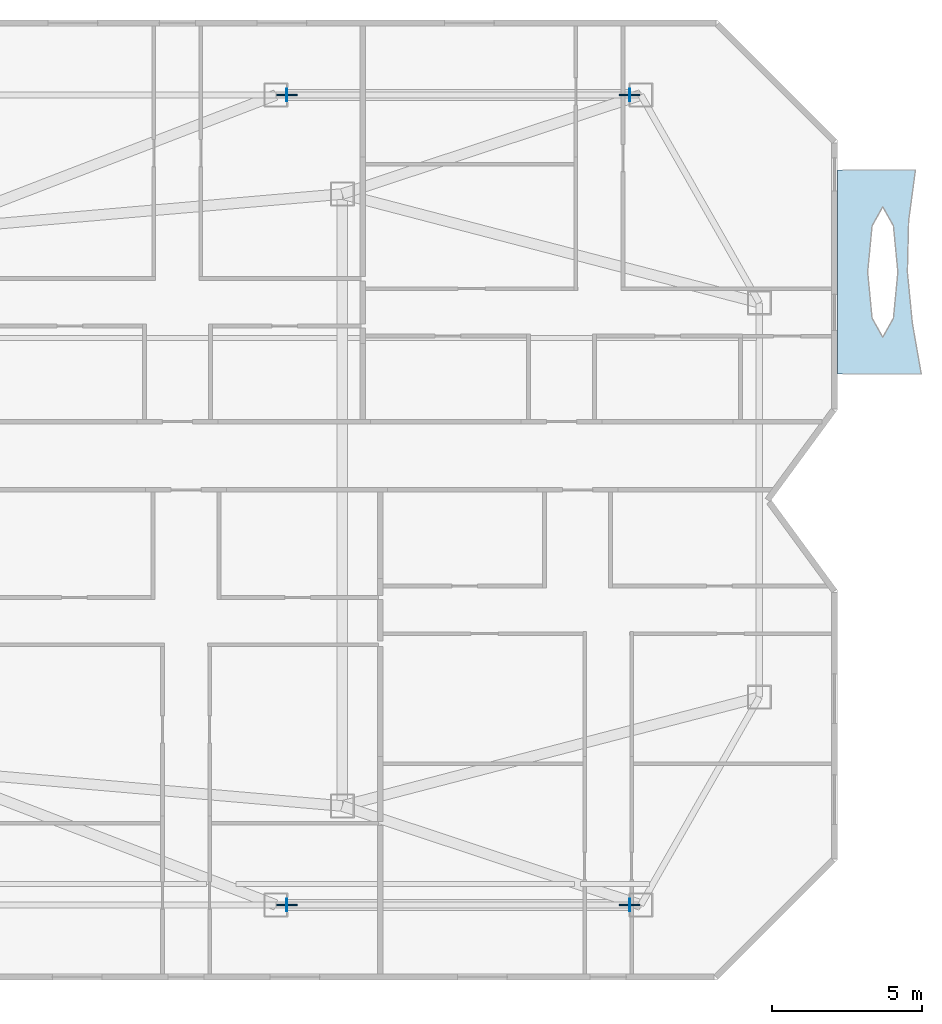
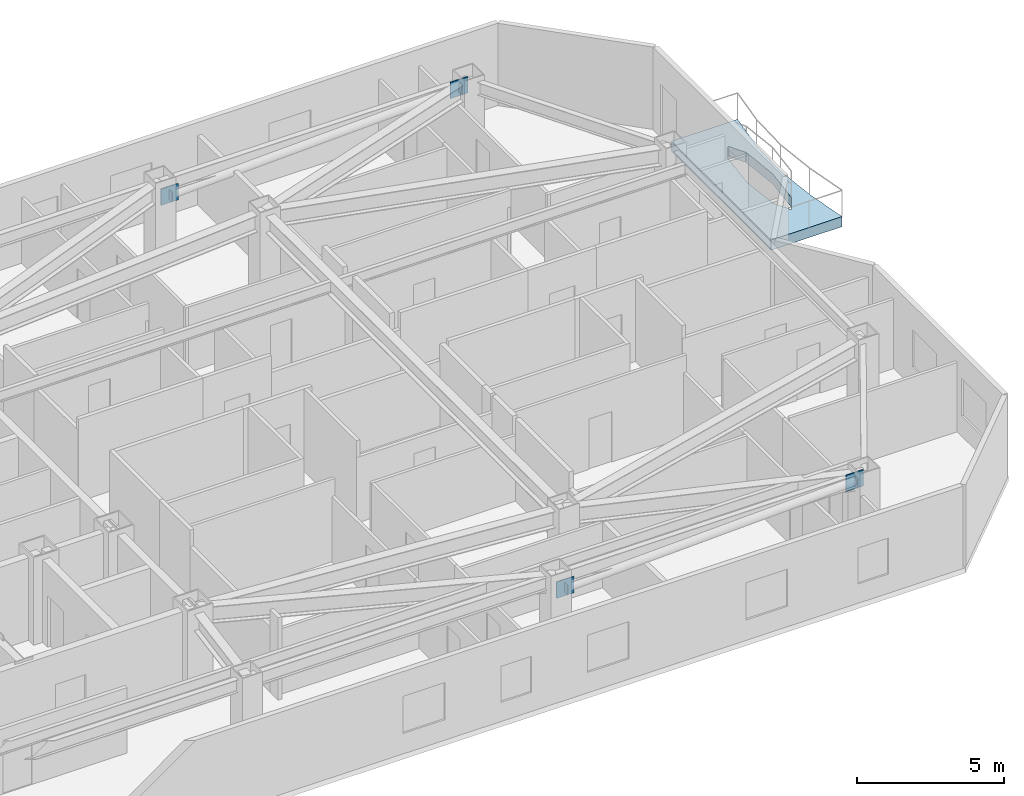
# One storey, part 3 of 10: 8 plates, 1 slab.
"""IFC4 building model written with IfcOpenShell, lengths in metres."""

from ifc_helpers import new_model, si_unit, direction, frame, origin, origin_2d, place, context, subcontext, project, spatial, polyline, rectangle, outline, extrude, material, layer, layer_set, type_object, element, save


model = new_model("IFC4")

# Units and contexts
model_context = context("Model", 3, precision=1e-05, world=origin(), true_north=direction((0.0, 1.0)))
body_context = subcontext(model_context, "Body", "Model", "MODEL_VIEW")
ifc_project = project(units=[si_unit("LENGTHUNIT", "METRE"), si_unit("AREAUNIT", "SQUARE_METRE"), si_unit("VOLUMEUNIT", "CUBIC_METRE"), si_unit("PLANEANGLEUNIT", "RADIAN"), si_unit("MASSUNIT", "GRAM", prefix="KILO")], contexts=[model_context])

# Site, building, storey
site_placement = place(None, origin())
site = spatial("IfcSite", under=ifc_project, at=site_placement, CompositionType="ELEMENT")
building_placement = place(site_placement, origin())
building = spatial("IfcBuilding", under=site, at=building_placement, Name="Khamvora Tower", CompositionType="ELEMENT")
storey_placement = place(building_placement, frame((0.0, 0.0, 250.050048828125)))
storey = spatial("IfcBuildingStorey", under=building, at=storey_placement, Name="L64", CompositionType="ELEMENT", Elevation=250.050048828125)

# Plates
ifc_material_1 = material(Name="Steel S355", Category="steel")
ifc_layer_1 = layer(ifc_material_1, 0.02490234375)
ifc_layer_set_1 = layer_set([ifc_layer_1], Name="Steel S355")
plate_type_1 = type_object("IfcPlateType", Name="PL-CAP-25", PredefinedType="SHEET", material=ifc_layer_set_1)
for number, where, z_axis, x_axis, name in (
    (1, (51.450927734375, 14.5, 2.487060546875), (0.0, 0.0, 1.0), (1.0, 0.0, 0.0), "L64 hollow section steel end cap plate 1166"),
    (2, (62.882080078125, 14.5, 2.93994140625), (0.0, 0.0, 1.0), (1.0, 0.0, 0.0), "L64 hollow section steel end cap plate 1167"),
    (3, (51.450927734375, 41.5, 2.487060546875), (0.0, 0.0, 1.0), (1.0, 0.0, 0.0), "L64 hollow section steel end cap plate 1168"),
    (4, (62.882080078125, 41.5, 2.93994140625), (0.0, 0.0, 1.0), (1.0, 0.0, 0.0), "L64 hollow section steel end cap plate 1169"),
):
    element("IfcPlate", number, at=place(storey_placement, frame(where, z_axis=z_axis, x_axis=x_axis)), inside=storey, type_object=plate_type_1, Name=name, PredefinedType="SHEET", context=body_context, shape_type="SweptSolid", body=[
        extrude(rectangle(XDim=0.02490234375, YDim=0.416015625, at=origin_2d()), origin(), (0.0, 0.0, 1.0), 0.416015625),
    ])
ifc_material_2 = material(Name="Steel S460", Category="steel")
ifc_layer_2 = layer(ifc_material_2, 0.0400390625)
ifc_layer_set_2 = layer_set([ifc_layer_2], Name="Steel S460")
plate_type_2 = type_object("IfcPlateType", Name="PLT-GUS-40", PredefinedType="SHEET", material=ifc_layer_set_2)
for number, where, z_axis, x_axis, name in (
    (5, (51.462890625, 14.5, 2.35498046875), (0.0, 0.0, 1.0), (1.0, 0.0, 0.0), "L64 brace connection node gusset plate 0409"),
    (6, (62.8701171875, 14.5, 2.80810546875), (0.0, 0.0, 1.0), (1.0, 0.0, 0.0), "L64 brace connection node gusset plate 0410"),
    (7, (51.462890625, 41.5, 2.35498046875), (0.0, 0.0, 1.0), (1.0, 0.0, 0.0), "L64 brace connection node gusset plate 0411"),
    (8, (62.8701171875, 41.5, 2.80810546875), (0.0, 0.0, 1.0), (1.0, 0.0, 0.0), "L64 brace connection node gusset plate 0412"),
):
    element("IfcPlate", number, at=place(storey_placement, frame(where, z_axis=z_axis, x_axis=x_axis)), inside=storey, type_object=plate_type_2, Name=name, PredefinedType="SHEET", context=body_context, shape_type="SweptSolid", body=[
        extrude(rectangle(XDim=0.679931640625, YDim=0.0400390625, at=origin_2d()), origin(), (0.0, 0.0, 1.0), 0.679931640625),
    ])

# Slab
ifc_material_3 = material(Name="Concrete C40/50", Category="concrete")
ifc_layer_3 = layer(ifc_material_3, 0.419921875)
ifc_layer_set_3 = layer_set([ifc_layer_3], Name="Concrete C40/50")
slab_type = type_object("IfcSlabType", Name="SLB-GRD-420", PredefinedType="FLOOR", material=ifc_layer_set_3)
slab_placement = place(storey_placement, frame((0.0, 0.0, -0.420166015625)))
element("IfcSlab", 9, at=slab_placement, inside=storey, type_object=slab_type, Name="L64 external lens gallery slab EL2", PredefinedType="FLOOR", context=body_context, shape_type="SweptSolid", body=[
    extrude(outline(polyline([(72.597900390625, 32.199951171875), (72.300048828125, 33.89990234375), (72.135009765625, 35.60009765625), (72.176025390625, 37.300048828125), (72.404052734375, 39.0), (69.800048828125, 39.0), (69.800048828125, 32.199951171875), (72.597900390625, 32.199951171875)]), holes=[polyline([(71.819091796875, 35.60009765625), (71.6708984375, 37.138916015625), (71.31494140625, 37.77587890625), (70.958984375, 37.138916015625), (70.81103515625, 35.60009765625), (70.958984375, 34.06103515625), (71.31494140625, 33.424072265625), (71.6708984375, 34.06103515625), (71.819091796875, 35.60009765625)])]), origin(), (0.0, 0.0, 1.0), 0.420166015625),
])

save(model, "model.ifc")
